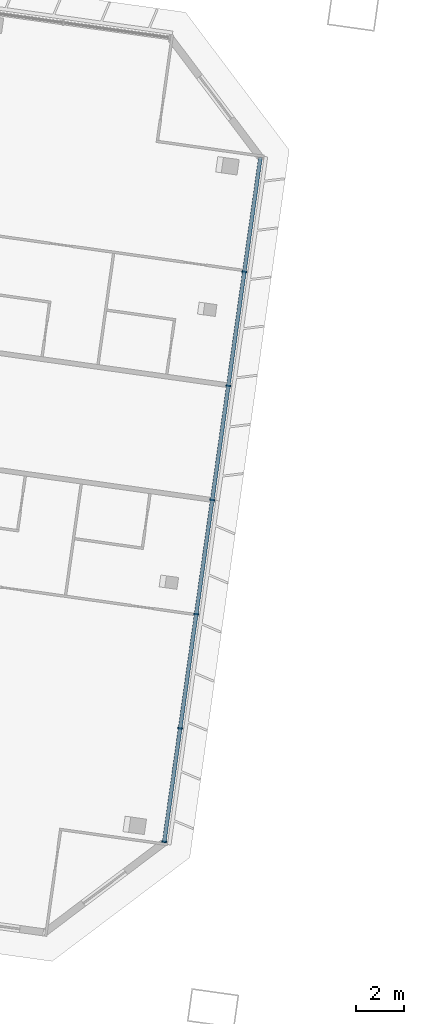
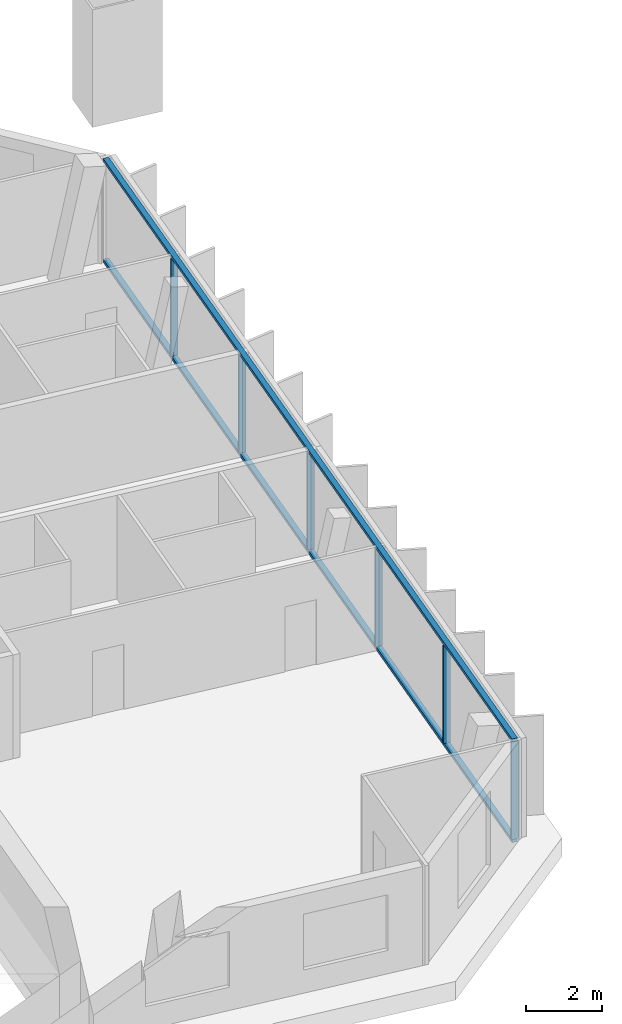
# One storey, part 3 of 19: 8 members, 1 element without a shape of its own.
"""IFC4 building model written with IfcOpenShell, lengths in metres."""

from ifc_helpers import new_model, si_unit, direction, frame, origin, origin_2d, place, context, subcontext, project, spatial, rectangle, extrude, material, material_profile, profile_set, type_object, element, aggregate, save


model = new_model("IFC4")

# Units and contexts
model_context = context("Model", 3, precision=1e-05, world=origin(), true_north=direction((0.0, 1.0)))
body_context = subcontext(model_context, "Body", "Model", "MODEL_VIEW")
ifc_project = project(units=[si_unit("LENGTHUNIT", "METRE"), si_unit("AREAUNIT", "SQUARE_METRE"), si_unit("VOLUMEUNIT", "CUBIC_METRE"), si_unit("PLANEANGLEUNIT", "RADIAN"), si_unit("MASSUNIT", "GRAM", prefix="KILO")], contexts=[model_context])

# Site, building, storey
site_placement = place(None, origin())
site = spatial("IfcSite", under=ifc_project, at=site_placement, CompositionType="ELEMENT")
building_placement = place(site_placement, origin())
building = spatial("IfcBuilding", under=site, at=building_placement, Name="Mirante Cascada Hotel Towers", CompositionType="ELEMENT")
storey_placement = place(building_placement, frame((0.0, 0.0, 239.4)))
storey = spatial("IfcBuildingStorey", under=building, at=storey_placement, Name="L57", CompositionType="ELEMENT", Elevation=239.4)

# Curtain wall, members
ifc_material_1 = material(Name="Aluminium mullion and transom frame with clear laminated glass", Category="aluminium")
curtain_wall_type = type_object("IfcCurtainWallType", Name="End ribbon curtain wall ECW2", PredefinedType="NOTDEFINED", material=ifc_material_1)
curtain_wall_placement = place(storey_placement, origin())
curtain_wall = element("IfcCurtainWall", 1, at=curtain_wall_placement, inside=storey, type_object=curtain_wall_type, Name="Inner end wall T1 L57", PredefinedType="NOTDEFINED")
ifc_material_2 = material(Name="Anodised aluminium extrusion", Category="aluminium")
ifc_material_profile_1 = material_profile(ifc_material_2, rectangle(XDim=0.2, YDim=0.065, at=origin_2d()), Name="ECW2 MULLION 65x200")
ifc_profile_set_1 = profile_set([ifc_material_profile_1], Name="Anodised aluminium extrusion")
member_type_1 = type_object("IfcMemberType", Name="ECW2 mullion 65x200", PredefinedType="MULLION", material=ifc_profile_set_1)
member_1_placement = place(storey_placement, frame((-19.6834, 6.2699, 0.1), z_axis=(0.0, 0.0, 1.0), x_axis=(0.9902681, -0.1391731, 0.0)))
member_1 = element("IfcMember", 2, at=member_1_placement, type_object=member_type_1, Name="ECW2 mullion 2", PredefinedType="MULLION", context=body_context, shape_type="SweptSolid", body=[
    extrude(rectangle(XDim=0.2, YDim=0.065, at=origin_2d()), origin(), (0.0, 0.0, 1.0), 3.15),
])
member_2_placement = place(storey_placement, frame((-20.3532, 1.5042, 0.1), z_axis=(0.0, 0.0, 1.0), x_axis=(0.9902681, -0.1391731, 0.0)))
member_2 = element("IfcMember", 3, at=member_2_placement, type_object=member_type_1, Name="ECW2 mullion 3", PredefinedType="MULLION", context=body_context, shape_type="SweptSolid", body=[
    extrude(rectangle(XDim=0.2, YDim=0.065, at=origin_2d()), origin(), (0.0, 0.0, 1.0), 3.15),
])
member_3_placement = place(storey_placement, frame((-21.023, -3.2616, 0.1), z_axis=(0.0, 0.0, 1.0), x_axis=(0.9902681, -0.1391731, 0.0)))
member_3 = element("IfcMember", 4, at=member_3_placement, type_object=member_type_1, Name="ECW2 mullion 4", PredefinedType="MULLION", context=body_context, shape_type="SweptSolid", body=[
    extrude(rectangle(XDim=0.2, YDim=0.065, at=origin_2d()), origin(), (0.0, 0.0, 1.0), 3.15),
])
member_4_placement = place(storey_placement, frame((-21.6928, -8.0274, 0.1), z_axis=(0.0, 0.0, 1.0), x_axis=(0.9902681, -0.1391731, 0.0)))
member_4 = element("IfcMember", 5, at=member_4_placement, type_object=member_type_1, Name="ECW2 mullion 5", PredefinedType="MULLION", context=body_context, shape_type="SweptSolid", body=[
    extrude(rectangle(XDim=0.2, YDim=0.065, at=origin_2d()), origin(), (0.0, 0.0, 1.0), 3.15),
])
member_5_placement = place(storey_placement, frame((-22.3626, -12.7932, 0.1), z_axis=(0.0, 0.0, 1.0), x_axis=(0.9902681, -0.1391731, 0.0)))
member_5 = element("IfcMember", 6, at=member_5_placement, type_object=member_type_1, Name="ECW2 mullion 6", PredefinedType="MULLION", context=body_context, shape_type="SweptSolid", body=[
    extrude(rectangle(XDim=0.2, YDim=0.065, at=origin_2d()), origin(), (0.0, 0.0, 1.0), 3.15),
])
member_6_placement = place(storey_placement, frame((-23.0279, -17.5268, 0.1), z_axis=(0.0, 0.0, 1.0), x_axis=(0.9902681, -0.1391731, 0.0)))
member_6 = element("IfcMember", 7, at=member_6_placement, type_object=member_type_1, Name="ECW2 mullion 7", PredefinedType="MULLION", context=body_context, shape_type="SweptSolid", body=[
    extrude(rectangle(XDim=0.2, YDim=0.065, at=origin_2d()), origin(), (0.0, 0.0, 1.0), 3.15),
])
ifc_material_3 = material(Name="Anodised aluminium extrusion", Category="aluminium")
ifc_material_profile_2 = material_profile(ifc_material_3, rectangle(XDim=0.16, YDim=0.1, at=origin_2d()), Name="ECW2 TRANSOM 100x160")
ifc_profile_set_2 = profile_set([ifc_material_profile_2], Name="Anodised aluminium extrusion")
member_type_2 = type_object("IfcMemberType", Name="ECW2 transom 100x160", PredefinedType="USERDEFINED", material=ifc_profile_set_2)
member_7_placement = place(storey_placement, frame((-19.0136, 11.0357, 0.05), z_axis=(-0.1391757, -0.9902677, 0.0), x_axis=(0.9902677, -0.1391757, 0.0)))
member_7 = element("IfcMember", 8, at=member_7_placement, type_object=member_type_2, Name="ECW2 sill transom", ObjectType="TRANSOM", PredefinedType="USERDEFINED", context=body_context, shape_type="SweptSolid", body=[
    extrude(rectangle(XDim=0.16, YDim=0.1, at=origin_2d()), origin(), (0.0, 0.0, 1.0), 28.8757),
])
member_8_placement = place(storey_placement, frame((-19.0136, 11.0357, 3.3), z_axis=(-0.1391757, -0.9902677, 0.0), x_axis=(0.9902677, -0.1391757, 0.0)))
member_8 = element("IfcMember", 9, at=member_8_placement, type_object=member_type_2, Name="ECW2 head transom", ObjectType="TRANSOM", PredefinedType="USERDEFINED", context=body_context, shape_type="SweptSolid", body=[
    extrude(rectangle(XDim=0.16, YDim=0.1, at=origin_2d()), origin(), (0.0, 0.0, 1.0), 28.8757),
])
aggregate(curtain_wall, [member_7, member_8, member_1, member_2, member_3, member_4, member_5, member_6])

save(model, "model.ifc")
